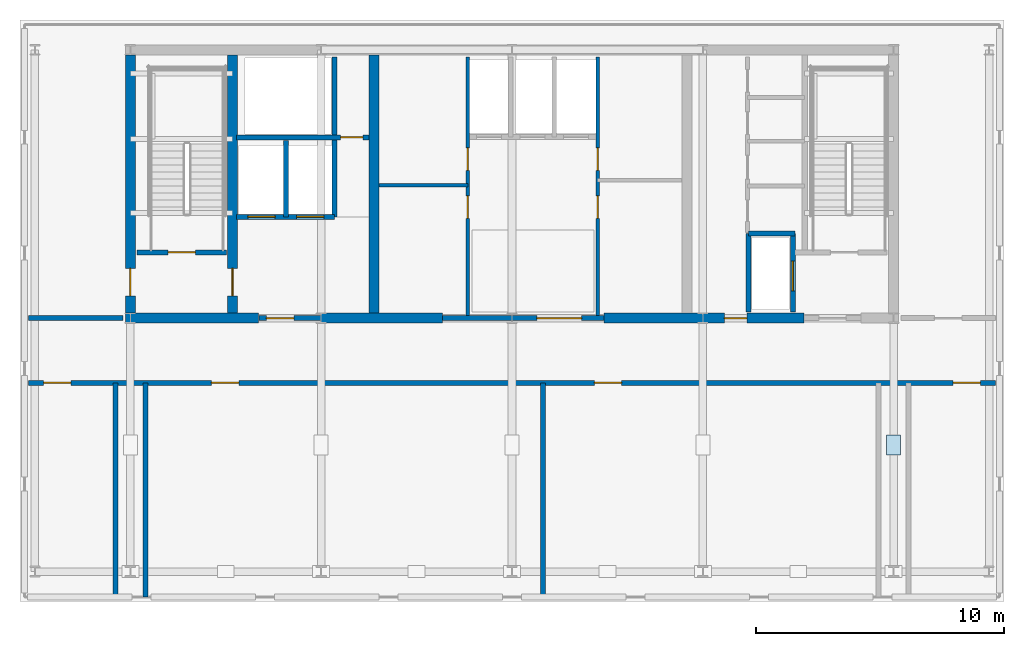
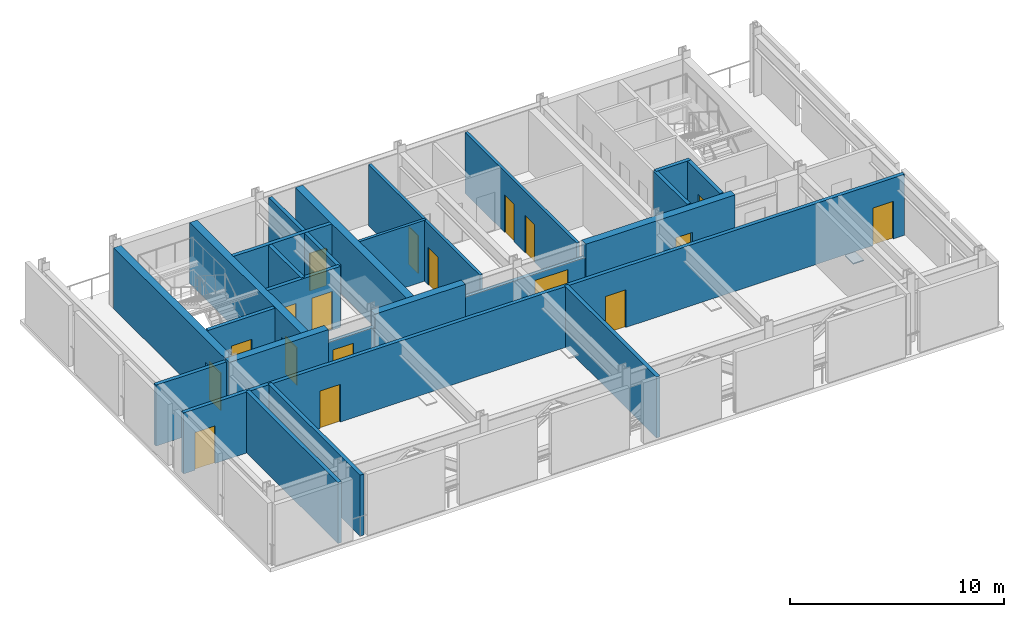
# One storey, part 2 of 8: 24 walls, 18 doors, 1 plate, 18 openings.
"""IFC4 building model written with IfcOpenShell, lengths in metres."""

from ifc_helpers import new_model, si_unit, direction, frame, frame_2d, origin, origin_2d, place, context, subcontext, project, spatial, rectangle, extrude, material, layer, layer_set, type_object, element, fill, save


model = new_model("IFC4")

# Units and contexts
model_context = context("Model", 3, precision=1e-05, world=origin(), true_north=direction((0.0, 1.0)))
body_context = subcontext(model_context, "Body", "Model", "MODEL_VIEW")
ifc_project = project(units=[si_unit("LENGTHUNIT", "METRE"), si_unit("AREAUNIT", "SQUARE_METRE"), si_unit("VOLUMEUNIT", "CUBIC_METRE"), si_unit("PLANEANGLEUNIT", "RADIAN"), si_unit("MASSUNIT", "GRAM", prefix="KILO")], contexts=[model_context])

# Site, building, storey
site_placement = place(None, origin())
site = spatial("IfcSite", under=ifc_project, at=site_placement, CompositionType="ELEMENT")
building_placement = place(site_placement, origin())
building = spatial("IfcBuilding", under=site, at=building_placement, Name="Yelkora Congress Tower", CompositionType="ELEMENT")
storey_placement = place(building_placement, frame((0.0, 0.0, 251.300048828125)))
storey = spatial("IfcBuildingStorey", under=building, at=storey_placement, Name="L70", CompositionType="ELEMENT", Elevation=251.300048828125)

# Plate
ifc_material_1 = material(Name="Steel S460M", Category="steel")
ifc_layer_1 = layer(ifc_material_1, 0.06005859375)
ifc_layer_set_1 = layer_set([ifc_layer_1], Name="Steel S460M")
plate_type = type_object("IfcPlateType", Name="PLT-GUSSET-800x560", PredefinedType="USERDEFINED", material=ifc_layer_set_1)
plate_placement = place(storey_placement, frame((53.760009765625, 30.300048828125, 1.559814453125), z_axis=(0.0, 0.0, 1.0), x_axis=(0.0, 1.0, 0.0)))
element("IfcPlate", 1, at=plate_placement, inside=storey, type_object=plate_type, Name="N4 Outrigger X-Brace Crossing Gusset Plate 5", ObjectType="GUSSET_PLATE", PredefinedType="USERDEFINED", context=body_context, shape_type="SweptSolid", body=[
    extrude(rectangle(XDim=0.800048828125, YDim=0.56005859375, at=origin_2d()), origin(), (0.0, 0.0, 1.0), 0.06005859375),
])

# Walls
ifc_material_2 = material(Name="Concrete C50/60", Category="concrete")
ifc_layer_2 = layer(ifc_material_2, 0.39990234375)
ifc_layer_set_2 = layer_set([ifc_layer_2], Name="Concrete C50/60")
wall_type_1 = type_object("IfcWallType", Name="WALL-CORE-INT-400", PredefinedType="SHEAR", material=ifc_layer_set_2)
wall_1_placement = place(storey_placement, frame((22.840087890625, 35.39990234375, 0.0), z_axis=(0.0, 0.0, 1.0), x_axis=(1.0, 0.0, 0.0)))
element("IfcWall", 2, at=wall_1_placement, inside=storey, type_object=wall_type_1, Name="L70 Rear Core South-West Shear Wall", PredefinedType="SHEAR", context=body_context, shape_type="SweptSolid", body=[
    extrude(rectangle(XDim=5.35986328125, YDim=0.39990234375, at=frame_2d((2.679931640625, 0.0))), origin(), (0.0, 0.0, 1.0), 3.47998046875),
])
wall_2_placement = place(storey_placement, frame((30.719970703125, 35.39990234375, 0.0), z_axis=(0.0, 0.0, 1.0), x_axis=(1.0, 0.0, 0.0)))
element("IfcWall", 3, at=wall_2_placement, inside=storey, type_object=wall_type_1, Name="L70 Rear Core South-Center Shear Pier", PredefinedType="SHEAR", context=body_context, shape_type="SweptSolid", body=[
    extrude(rectangle(XDim=4.880126953125, YDim=0.39990234375, at=frame_2d((2.43994140625, 0.0))), origin(), (0.0, 0.0, 1.0), 3.47998046875),
])

# Wall, opening, door
wall_3_placement = place(storey_placement, frame((42.10009765625, 35.39990234375, 0.0), z_axis=(0.0, 0.0, 1.0), x_axis=(1.0, 0.0, 0.0)))
wall_3 = element("IfcWall", 4, at=wall_3_placement, inside=storey, type_object=wall_type_1, Name="L70 Rear Core South-East Shear Wall A", PredefinedType="SHEAR", context=body_context, shape_type="SweptSolid", body=[
    extrude(rectangle(XDim=8.0498046875, YDim=0.39990234375, at=frame_2d((4.02490234375, 0.0))), origin(), (0.0, 0.0, 1.0), 3.47998046875),
])
opening_1_placement = place(wall_3_placement, frame((4.85009765625, 0.0, 0.0)))
opening_1 = element("IfcOpeningElement", 5, at=opening_1_placement, cuts=wall_3, Name="Opening DR-090F6", PredefinedType="OPENING", context=body_context, shape_type="SweptSolid", body=[
    extrude(rectangle(XDim=0.89990234375, YDim=2.14990234375, at=frame_2d((0.449951171875, 1.074951171875))), frame((0.0, 0.2099609375, 0.0), z_axis=(0.0, -1.0, 0.0), x_axis=(1.0, 0.0, 0.0)), (0.0, 0.0, 1.0), 0.419921875),
])
ifc_material_3 = material(Name="Painted steel riser fire door leaf", Category="steel")
door_type_1 = type_object("IfcDoorType", Name="DOOR-FD60-900", OperationType="NOTDEFINED", PredefinedType="DOOR", material=ifc_material_3)
door_1_placement = place(opening_1_placement, origin())
door_1 = element("IfcDoor", 6, at=door_1_placement, inside=storey, type_object=door_type_1, Name="L70 Core Washroom Lobby Door", OperationType="SINGLE_SWING_RIGHT", OverallHeight=2.14990234375, OverallWidth=0.89990234375, PredefinedType="DOOR", context=body_context, shape_type="SweptSolid", body=[
    extrude(rectangle(XDim=0.89990234375, YDim=2.14990234375, at=frame_2d((0.449951171875, 1.074951171875))), frame((0.0, 0.02490234375, 0.0), z_axis=(0.0, -1.0, 0.0), x_axis=(1.0, 0.0, 0.0)), (0.0, 0.0, 1.0), 0.050048828125),
])
fill(opening_1, door_1)

wall_4_placement = place(storey_placement, frame((23.0400390625, 35.60009765625, 0.0), z_axis=(0.0, 0.0, 1.0), x_axis=(0.0, 1.0, 0.0)))
wall_4 = element("IfcWall", 7, at=wall_4_placement, inside=storey, type_object=wall_type_1, Name="L70 Rear Core Cross Shear Wall W", PredefinedType="SHEAR", context=body_context, shape_type="SweptSolid", body=[
    extrude(rectangle(XDim=10.39990234375, YDim=0.39990234375, at=frame_2d((5.199951171875, 0.0))), origin(), (0.0, 0.0, 1.0), 3.47998046875),
])
opening_2_placement = place(wall_4_placement, frame((0.699951171875, 0.0, 0.0)))
opening_2 = element("IfcOpeningElement", 8, at=opening_2_placement, cuts=wall_4, Name="Opening DR-110F9", PredefinedType="OPENING", context=body_context, shape_type="SweptSolid", body=[
    extrude(rectangle(XDim=1.10009765625, YDim=2.14990234375, at=frame_2d((0.550048828125, 1.074951171875))), frame((0.0, 0.2099609375, 0.0), z_axis=(0.0, -1.0, 0.0), x_axis=(1.0, 0.0, 0.0)), (0.0, 0.0, 1.0), 0.419921875),
])
ifc_material_4 = material(Name="Galvanised steel fire door leaf", Category="steel")
door_type_2 = type_object("IfcDoorType", Name="DOOR-FD90-1100", OperationType="NOTDEFINED", PredefinedType="DOOR", material=ifc_material_4)
door_2_placement = place(opening_2_placement, origin())
door_2 = element("IfcDoor", 9, at=door_2_placement, inside=storey, type_object=door_type_2, Name="L70 Area of Refuge Direct Stair-Lobby Door", OperationType="SINGLE_SWING_LEFT", OverallHeight=2.14990234375, OverallWidth=1.10009765625, PredefinedType="DOOR", context=body_context, shape_type="SweptSolid", body=[
    extrude(rectangle(XDim=1.10009765625, YDim=2.14990234375, at=frame_2d((0.550048828125, 1.074951171875))), frame((0.0, 0.02490234375, 0.0), z_axis=(0.0, -1.0, 0.0), x_axis=(1.0, 0.0, 0.0)), (0.0, 0.0, 1.0), 0.050048828125),
])
fill(opening_2, door_2)

wall_5_placement = place(storey_placement, frame((27.14990234375, 35.60009765625, 0.0), z_axis=(0.0, 0.0, 1.0), x_axis=(0.0, 1.0, 0.0)))
wall_5 = element("IfcWall", 10, at=wall_5_placement, inside=storey, type_object=wall_type_1, Name="L70 Rear Core Cross Shear Wall C1", PredefinedType="SHEAR", context=body_context, shape_type="SweptSolid", body=[
    extrude(rectangle(XDim=10.39990234375, YDim=0.39990234375, at=frame_2d((5.199951171875, 0.0))), origin(), (0.0, 0.0, 1.0), 3.47998046875),
])
opening_3_placement = place(wall_5_placement, frame((0.699951171875, 0.0, 0.0)))
opening_3 = element("IfcOpeningElement", 11, at=opening_3_placement, cuts=wall_5, Name="Opening DR-110F9", PredefinedType="OPENING", context=body_context, shape_type="SweptSolid", body=[
    extrude(rectangle(XDim=1.10009765625, YDim=2.14990234375, at=frame_2d((0.550048828125, 1.074951171875))), frame((0.0, 0.2099609375, 0.0), z_axis=(0.0, -1.0, 0.0), x_axis=(1.0, 0.0, 0.0)), (0.0, 0.0, 1.0), 0.419921875),
])
door_3_placement = place(opening_3_placement, origin())
door_3 = element("IfcDoor", 12, at=door_3_placement, inside=storey, type_object=door_type_2, Name="L70 Firefighting Stair Transfer Door", OperationType="SINGLE_SWING_LEFT", OverallHeight=2.14990234375, OverallWidth=1.10009765625, PredefinedType="DOOR", context=body_context, shape_type="SweptSolid", body=[
    extrude(rectangle(XDim=1.10009765625, YDim=2.14990234375, at=frame_2d((0.550048828125, 1.074951171875))), frame((0.0, 0.02490234375, 0.0), z_axis=(0.0, -1.0, 0.0), x_axis=(1.0, 0.0, 0.0)), (0.0, 0.0, 1.0), 0.050048828125),
])
fill(opening_3, door_3)

# Walls
wall_6_placement = place(storey_placement, frame((32.85009765625, 35.60009765625, 0.0), z_axis=(0.0, 0.0, 1.0), x_axis=(0.0, 1.0, 0.0)))
element("IfcWall", 13, at=wall_6_placement, inside=storey, type_object=wall_type_1, Name="L70 Rear Core Cross Shear Wall C2", PredefinedType="SHEAR", context=body_context, shape_type="SweptSolid", body=[
    extrude(rectangle(XDim=10.39990234375, YDim=0.39990234375, at=frame_2d((5.199951171875, 0.0))), origin(), (0.0, 0.0, 1.0), 3.47998046875),
])
ifc_material_5 = material(Name="Twin-stud fire-rated gypsum partition", Category="gypsum")
ifc_layer_3 = layer(ifc_material_5, 0.14990234375)
ifc_layer_set_3 = layer_set([ifc_layer_3], Name="Twin-stud fire-rated gypsum partition")
wall_type_2 = type_object("IfcWallType", Name="WALL-INT-150-R60", PredefinedType="PARTITIONING", material=ifc_layer_set_3)
wall_7_placement = place(storey_placement, frame((33.050048828125, 40.75, 0.0), z_axis=(0.0, 0.0, 1.0), x_axis=(1.0, 0.0, 0.0)))
element("IfcWall", 14, at=wall_7_placement, inside=storey, type_object=wall_type_2, Name="L70 Partition Wall 11", PredefinedType="PARTITIONING", context=body_context, shape_type="SweptSolid", body=[
    extrude(rectangle(XDim=3.570068359375, YDim=0.14990234375, at=frame_2d((1.78515625, 0.0))), origin(), (0.0, 0.0, 1.0), 3.47998046875),
])

# Wall, openings, doors
wall_8_placement = place(storey_placement, frame((36.6201171875, 35.5, 0.0), z_axis=(0.0, 0.0, 1.0), x_axis=(0.0, 1.0, 0.0)))
wall_8 = element("IfcWall", 15, at=wall_8_placement, inside=storey, type_object=wall_type_2, Name="L70 Partition Wall 12", PredefinedType="PARTITIONING", context=body_context, shape_type="SweptSolid", body=[
    extrude(rectangle(XDim=10.419921875, YDim=0.14990234375, at=frame_2d((5.2099609375, 0.0))), origin(), (0.0, 0.0, 1.0), 3.47998046875),
])
opening_4_placement = place(wall_8_placement, frame((3.919921875, 0.0, 0.0)))
opening_4 = element("IfcOpeningElement", 16, at=opening_4_placement, cuts=wall_8, Name="Opening DR-090F6", PredefinedType="OPENING", context=body_context, shape_type="SweptSolid", body=[
    extrude(rectangle(XDim=0.89990234375, YDim=2.14990234375, at=frame_2d((0.449951171875, 1.074951171875))), frame((0.0, 0.0849609375, 0.0), z_axis=(0.0, -1.0, 0.0), x_axis=(1.0, 0.0, 0.0)), (0.0, 0.0, 1.0), 0.169921875),
])
opening_5_placement = place(wall_8_placement, frame((5.85009765625, 0.0, 0.0)))
opening_5 = element("IfcOpeningElement", 17, at=opening_5_placement, cuts=wall_8, Name="Opening DR-090F6", PredefinedType="OPENING", context=body_context, shape_type="SweptSolid", body=[
    extrude(rectangle(XDim=0.89990234375, YDim=2.14990234375, at=frame_2d((0.449951171875, 1.074951171875))), frame((0.0, 0.0849609375, 0.0), z_axis=(0.0, -1.0, 0.0), x_axis=(1.0, 0.0, 0.0)), (0.0, 0.0, 1.0), 0.169921875),
])
door_4_placement = place(opening_4_placement, origin())
door_4 = element("IfcDoor", 18, at=door_4_placement, inside=storey, type_object=door_type_1, Name="L70 Telecom Store Door", OperationType="SINGLE_SWING_RIGHT", OverallHeight=2.14990234375, OverallWidth=0.89990234375, PredefinedType="DOOR", context=body_context, shape_type="SweptSolid", body=[
    extrude(rectangle(XDim=0.89990234375, YDim=2.14990234375, at=frame_2d((0.449951171875, 1.074951171875))), frame((0.0, 0.02490234375, 0.0), z_axis=(0.0, -1.0, 0.0), x_axis=(1.0, 0.0, 0.0)), (0.0, 0.0, 1.0), 0.050048828125),
])
fill(opening_4, door_4)
door_5_placement = place(opening_5_placement, origin())
door_5 = element("IfcDoor", 19, at=door_5_placement, inside=storey, type_object=door_type_1, Name="L70 Archive Store Door", OperationType="SINGLE_SWING_LEFT", OverallHeight=2.14990234375, OverallWidth=0.89990234375, PredefinedType="DOOR", context=body_context, shape_type="SweptSolid", body=[
    extrude(rectangle(XDim=0.89990234375, YDim=2.14990234375, at=frame_2d((0.449951171875, 1.074951171875))), frame((0.0, 0.02490234375, 0.0), z_axis=(0.0, -1.0, 0.0), x_axis=(1.0, 0.0, 0.0)), (0.0, 0.0, 1.0), 0.050048828125),
])
fill(opening_5, door_5)

wall_9_placement = place(storey_placement, frame((41.85009765625, 35.5, 0.0), z_axis=(0.0, 0.0, 1.0), x_axis=(0.0, 1.0, 0.0)))
wall_9 = element("IfcWall", 20, at=wall_9_placement, inside=storey, type_object=wall_type_2, Name="L70 Partition Wall 14", PredefinedType="PARTITIONING", context=body_context, shape_type="SweptSolid", body=[
    extrude(rectangle(XDim=10.419921875, YDim=0.14990234375, at=frame_2d((5.2099609375, 0.0))), origin(), (0.0, 0.0, 1.0), 3.47998046875),
])
opening_6_placement = place(wall_9_placement, frame((3.919921875, 0.0, 0.0)))
opening_6 = element("IfcOpeningElement", 21, at=opening_6_placement, cuts=wall_9, Name="Opening DR-090F6", PredefinedType="OPENING", context=body_context, shape_type="SweptSolid", body=[
    extrude(rectangle(XDim=0.89990234375, YDim=2.14990234375, at=frame_2d((0.449951171875, 1.074951171875))), frame((0.0, 0.0849609375, 0.0), z_axis=(0.0, -1.0, 0.0), x_axis=(1.0, 0.0, 0.0)), (0.0, 0.0, 1.0), 0.169921875),
])
opening_7_placement = place(wall_9_placement, frame((5.85009765625, 0.0, 0.0)))
opening_7 = element("IfcOpeningElement", 22, at=opening_7_placement, cuts=wall_9, Name="Opening DR-090F6", PredefinedType="OPENING", context=body_context, shape_type="SweptSolid", body=[
    extrude(rectangle(XDim=0.89990234375, YDim=2.14990234375, at=frame_2d((0.449951171875, 1.074951171875))), frame((0.0, 0.0849609375, 0.0), z_axis=(0.0, -1.0, 0.0), x_axis=(1.0, 0.0, 0.0)), (0.0, 0.0, 1.0), 0.169921875),
])
door_6_placement = place(opening_6_placement, origin())
door_6 = element("IfcDoor", 23, at=door_6_placement, inside=storey, type_object=door_type_1, Name="L70 High-Zone BMS Door", OperationType="SINGLE_SWING_RIGHT", OverallHeight=2.14990234375, OverallWidth=0.89990234375, PredefinedType="DOOR", context=body_context, shape_type="SweptSolid", body=[
    extrude(rectangle(XDim=0.89990234375, YDim=2.14990234375, at=frame_2d((0.449951171875, 1.074951171875))), frame((0.0, 0.02490234375, 0.0), z_axis=(0.0, -1.0, 0.0), x_axis=(1.0, 0.0, 0.0)), (0.0, 0.0, 1.0), 0.050048828125),
])
fill(opening_6, door_6)
door_7_placement = place(opening_7_placement, origin())
door_7 = element("IfcDoor", 24, at=door_7_placement, inside=storey, type_object=door_type_1, Name="L70 Linen Store Door", OperationType="SINGLE_SWING_LEFT", OverallHeight=2.14990234375, OverallWidth=0.89990234375, PredefinedType="DOOR", context=body_context, shape_type="SweptSolid", body=[
    extrude(rectangle(XDim=0.89990234375, YDim=2.14990234375, at=frame_2d((0.449951171875, 1.074951171875))), frame((0.0, 0.02490234375, 0.0), z_axis=(0.0, -1.0, 0.0), x_axis=(1.0, 0.0, 0.0)), (0.0, 0.0, 1.0), 0.050048828125),
])
fill(opening_7, door_7)

# Wall, opening, door
ifc_material_6 = material(Name="Autoclaved aerated concrete blockwork", Category="masonry")
ifc_layer_4 = layer(ifc_material_6, 0.199951171875)
ifc_layer_set_4 = layer_set([ifc_layer_4], Name="Autoclaved aerated concrete blockwork")
wall_type_3 = type_object("IfcWallType", Name="WALL-INT-200-R120", PredefinedType="PARTITIONING", material=ifc_layer_set_4)
wall_10_placement = place(storey_placement, frame((23.300048828125, 38.050048828125, 0.0), z_axis=(0.0, 0.0, 1.0), x_axis=(1.0, 0.0, 0.0)))
wall_10 = element("IfcWall", 25, at=wall_10_placement, inside=storey, type_object=wall_type_3, Name="L70 Stair ST-01 Enclosure Wall", PredefinedType="PARTITIONING", context=body_context, shape_type="SweptSolid", body=[
    extrude(rectangle(XDim=3.619873046875, YDim=0.199951171875, at=frame_2d((1.81005859375, 0.0))), origin(), (0.0, 0.0, 1.0), 3.47998046875),
])
opening_8_placement = place(wall_10_placement, frame((1.260009765625, 0.0, 0.0)))
opening_8 = element("IfcOpeningElement", 26, at=opening_8_placement, cuts=wall_10, Name="Opening DR-110F9", PredefinedType="OPENING", context=body_context, shape_type="SweptSolid", body=[
    extrude(rectangle(XDim=1.10009765625, YDim=2.14990234375, at=frame_2d((0.550048828125, 1.074951171875))), frame((0.0, 0.10986328125, 0.0), z_axis=(0.0, -1.0, 0.0), x_axis=(1.0, 0.0, 0.0)), (0.0, 0.0, 1.0), 0.219970703125),
])
door_8_placement = place(opening_8_placement, origin())
door_8 = element("IfcDoor", 27, at=door_8_placement, inside=storey, type_object=door_type_2, Name="L70 Stair ST-01 Entry Door", OperationType="SINGLE_SWING_LEFT", OverallHeight=2.14990234375, OverallWidth=1.10009765625, PredefinedType="DOOR", context=body_context, shape_type="SweptSolid", body=[
    extrude(rectangle(XDim=1.10009765625, YDim=2.14990234375, at=frame_2d((0.550048828125, 1.074951171875))), frame((0.0, 0.02490234375, 0.0), z_axis=(0.0, -1.0, 0.0), x_axis=(1.0, 0.0, 0.0)), (0.0, 0.0, 1.0), 0.050048828125),
])
fill(opening_8, door_8)

wall_11_placement = place(storey_placement, frame((28.219970703125, 35.39990234375, 0.0), z_axis=(0.0, 0.0, 1.0), x_axis=(1.0, 0.0, 0.0)))
wall_11 = element("IfcWall", 28, at=wall_11_placement, inside=storey, type_object=wall_type_3, Name="L70 Firefighting Lobby South Wall", PredefinedType="PARTITIONING", context=body_context, shape_type="SweptSolid", body=[
    extrude(rectangle(XDim=2.5, YDim=0.199951171875, at=frame_2d((1.25, 0.0))), origin(), (0.0, 0.0, 1.0), 2.660888671875),
])
opening_9_placement = place(wall_11_placement, frame((0.300048828125, 0.0, 0.0)))
opening_9 = element("IfcOpeningElement", 29, at=opening_9_placement, cuts=wall_11, Name="Opening DR-110F9", PredefinedType="OPENING", context=body_context, shape_type="SweptSolid", body=[
    extrude(rectangle(XDim=1.10009765625, YDim=2.14990234375, at=frame_2d((0.550048828125, 1.074951171875))), frame((0.0, 0.10986328125, 0.0), z_axis=(0.0, -1.0, 0.0), x_axis=(1.0, 0.0, 0.0)), (0.0, 0.0, 1.0), 0.219970703125),
])
door_9_placement = place(opening_9_placement, origin())
door_9 = element("IfcDoor", 30, at=door_9_placement, inside=storey, type_object=door_type_2, Name="L70 Firefighting Lobby Corridor Door", OperationType="SINGLE_SWING_RIGHT", OverallHeight=2.14990234375, OverallWidth=1.10009765625, PredefinedType="DOOR", context=body_context, shape_type="SweptSolid", body=[
    extrude(rectangle(XDim=1.10009765625, YDim=2.14990234375, at=frame_2d((0.550048828125, 1.074951171875))), frame((0.0, 0.02490234375, 0.0), z_axis=(0.0, -1.0, 0.0), x_axis=(1.0, 0.0, 0.0)), (0.0, 0.0, 1.0), 0.050048828125),
])
fill(opening_9, door_9)

# Wall, openings, doors
wall_12_placement = place(storey_placement, frame((27.320068359375, 39.47998046875, 0.0), z_axis=(0.0, 0.0, 1.0), x_axis=(1.0, 0.0, 0.0)))
wall_12 = element("IfcWall", 31, at=wall_12_placement, inside=storey, type_object=wall_type_3, Name="L70 Firefighting Lift Front Wall", PredefinedType="PARTITIONING", context=body_context, shape_type="SweptSolid", body=[
    extrude(rectangle(XDim=3.93994140625, YDim=0.199951171875, at=frame_2d((1.969970703125, 0.0))), origin(), (0.0, 0.0, 1.0), 3.47998046875),
])
opening_10_placement = place(wall_12_placement, frame((0.449951171875, 0.0, 0.0)))
opening_10 = element("IfcOpeningElement", 32, at=opening_10_placement, cuts=wall_12, Name="Opening LD-FF11", PredefinedType="OPENING", context=body_context, shape_type="SweptSolid", body=[
    extrude(rectangle(XDim=1.10009765625, YDim=2.199951171875, at=frame_2d((0.550048828125, 1.10009765625))), frame((0.0, 0.10986328125, 0.0), z_axis=(0.0, -1.0, 0.0), x_axis=(1.0, 0.0, 0.0)), (0.0, 0.0, 1.0), 0.219970703125),
])
opening_11_placement = place(wall_12_placement, frame((2.409912109375, 0.0, 0.0)))
opening_11 = element("IfcOpeningElement", 33, at=opening_11_placement, cuts=wall_12, Name="Opening LD-FF11", PredefinedType="OPENING", context=body_context, shape_type="SweptSolid", body=[
    extrude(rectangle(XDim=1.10009765625, YDim=2.199951171875, at=frame_2d((0.550048828125, 1.10009765625))), frame((0.0, 0.10986328125, 0.0), z_axis=(0.0, -1.0, 0.0), x_axis=(1.0, 0.0, 0.0)), (0.0, 0.0, 1.0), 0.219970703125),
])
ifc_material_7 = material(Name="Brushed stainless steel 316L landing door", Category="steel")
door_type_3 = type_object("IfcDoorType", Name="DOOR-LIFT-FF-1100", OperationType="DOUBLE_DOOR_SLIDING", PredefinedType="DOOR", material=ifc_material_7)
door_10_placement = place(opening_10_placement, origin())
door_10 = element("IfcDoor", 34, at=door_10_placement, inside=storey, type_object=door_type_3, Name="Lift Landing Door LF-FF1 L70", OperationType="DOUBLE_DOOR_SLIDING", OverallHeight=2.199951171875, OverallWidth=1.10009765625, PredefinedType="DOOR", context=body_context, shape_type="SweptSolid", body=[
    extrude(rectangle(XDim=1.10009765625, YDim=2.199951171875, at=frame_2d((0.550048828125, 1.10009765625))), frame((0.0, 0.02490234375, 0.0), z_axis=(0.0, -1.0, 0.0), x_axis=(1.0, 0.0, 0.0)), (0.0, 0.0, 1.0), 0.050048828125),
])
fill(opening_10, door_10)
door_11_placement = place(opening_11_placement, origin())
door_11 = element("IfcDoor", 35, at=door_11_placement, inside=storey, type_object=door_type_3, Name="Lift Landing Door LF-FF2 L70", OperationType="DOUBLE_DOOR_SLIDING", OverallHeight=2.199951171875, OverallWidth=1.10009765625, PredefinedType="DOOR", context=body_context, shape_type="SweptSolid", body=[
    extrude(rectangle(XDim=1.10009765625, YDim=2.199951171875, at=frame_2d((0.550048828125, 1.10009765625))), frame((0.0, 0.02490234375, 0.0), z_axis=(0.0, -1.0, 0.0), x_axis=(1.0, 0.0, 0.0)), (0.0, 0.0, 1.0), 0.050048828125),
])
fill(opening_11, door_11)

# Walls
wall_13_placement = place(storey_placement, frame((29.300048828125, 39.47998046875, 0.0), z_axis=(0.0, 0.0, 1.0), x_axis=(0.0, 1.0, 0.0)))
element("IfcWall", 36, at=wall_13_placement, inside=storey, type_object=wall_type_3, Name="L70 Partition Wall 4", PredefinedType="PARTITIONING", context=body_context, shape_type="SweptSolid", body=[
    extrude(rectangle(XDim=3.070068359375, YDim=0.199951171875, at=frame_2d((1.53515625, 0.0))), origin(), (0.0, 0.0, 1.0), 3.47998046875),
])
wall_14_placement = place(storey_placement, frame((31.260009765625, 39.47998046875, 0.0), z_axis=(0.0, 0.0, 1.0), x_axis=(0.0, 1.0, 0.0)))
element("IfcWall", 37, at=wall_14_placement, inside=storey, type_object=wall_type_3, Name="L70 Partition Wall 5", PredefinedType="PARTITIONING", context=body_context, shape_type="SweptSolid", body=[
    extrude(rectangle(XDim=6.43994140625, YDim=0.199951171875, at=frame_2d((3.219970703125, 0.0))), origin(), (0.0, 0.0, 1.0), 3.47998046875),
])

# Wall, opening, door
wall_15_placement = place(storey_placement, frame((27.320068359375, 42.679931640625, 0.0), z_axis=(0.0, 0.0, 1.0), x_axis=(1.0, 0.0, 0.0)))
wall_15 = element("IfcWall", 38, at=wall_15_placement, inside=storey, type_object=wall_type_3, Name="L70 Smoke Riser South Wall", PredefinedType="PARTITIONING", context=body_context, shape_type="SweptSolid", body=[
    extrude(rectangle(XDim=5.329833984375, YDim=0.199951171875, at=frame_2d((2.6650390625, 0.0))), origin(), (0.0, 0.0, 1.0), 3.47998046875),
])
opening_12_placement = place(wall_15_placement, frame((4.179931640625, 0.0, 0.0)))
opening_12 = element("IfcOpeningElement", 39, at=opening_12_placement, cuts=wall_15, Name="Opening DR-090F6", PredefinedType="OPENING", context=body_context, shape_type="SweptSolid", body=[
    extrude(rectangle(XDim=0.89990234375, YDim=2.14990234375, at=frame_2d((0.449951171875, 1.074951171875))), frame((0.0, 0.10986328125, 0.0), z_axis=(0.0, -1.0, 0.0), x_axis=(1.0, 0.0, 0.0)), (0.0, 0.0, 1.0), 0.219970703125),
])
door_12_placement = place(opening_12_placement, origin())
door_12 = element("IfcDoor", 40, at=door_12_placement, inside=storey, type_object=door_type_1, Name="L70 Riser Access Door", OperationType="SINGLE_SWING_LEFT", OverallHeight=2.14990234375, OverallWidth=0.89990234375, PredefinedType="DOOR", context=body_context, shape_type="SweptSolid", body=[
    extrude(rectangle(XDim=0.89990234375, YDim=2.14990234375, at=frame_2d((0.449951171875, 1.074951171875))), frame((0.0, 0.02490234375, 0.0), z_axis=(0.0, -1.0, 0.0), x_axis=(1.0, 0.0, 0.0)), (0.0, 0.0, 1.0), 0.050048828125),
])
fill(opening_12, door_12)

wall_16_placement = place(storey_placement, frame((35.60009765625, 35.39990234375, 0.0), z_axis=(0.0, 0.0, 1.0), x_axis=(1.0, 0.0, 0.0)))
wall_16 = element("IfcWall", 41, at=wall_16_placement, inside=storey, type_object=wall_type_3, Name="L70 Main Lift Lobby South Portal Wall", PredefinedType="PARTITIONING", context=body_context, shape_type="SweptSolid", body=[
    extrude(rectangle(XDim=6.5, YDim=0.199951171875, at=frame_2d((3.25, 0.0))), origin(), (0.0, 0.0, 1.0), 2.660888671875),
])
opening_13_placement = place(wall_16_placement, frame((3.800048828125, 0.0, 0.0)))
opening_13 = element("IfcOpeningElement", 42, at=opening_13_placement, cuts=wall_16, Name="Opening DR-180D", PredefinedType="OPENING", context=body_context, shape_type="SweptSolid", body=[
    extrude(rectangle(XDim=1.800048828125, YDim=2.300048828125, at=frame_2d((0.89990234375, 1.14990234375))), frame((0.0, 0.10986328125, 0.0), z_axis=(0.0, -1.0, 0.0), x_axis=(1.0, 0.0, 0.0)), (0.0, 0.0, 1.0), 0.219970703125),
])
ifc_material_8 = material(Name="Acoustic double congress hall doors", Category="wood")
door_type_4 = type_object("IfcDoorType", Name="DOOR-DBL-1800", OperationType="DOUBLE_DOOR_SINGLE_SWING", PredefinedType="DOOR", material=ifc_material_8)
door_13_placement = place(opening_13_placement, origin())
door_13 = element("IfcDoor", 43, at=door_13_placement, inside=storey, type_object=door_type_4, Name="L70 Main Lift Lobby Portal Door", OperationType="DOUBLE_DOOR_SINGLE_SWING", OverallHeight=2.300048828125, OverallWidth=1.800048828125, PredefinedType="DOOR", context=body_context, shape_type="SweptSolid", body=[
    extrude(rectangle(XDim=1.800048828125, YDim=2.300048828125, at=frame_2d((0.89990234375, 1.14990234375))), frame((0.0, 0.02490234375, 0.0), z_axis=(0.0, -1.0, 0.0), x_axis=(1.0, 0.0, 0.0)), (0.0, 0.0, 1.0), 0.050048828125),
])
fill(opening_13, door_13)

wall_17_placement = place(storey_placement, frame((49.699951171875, 35.64990234375, 0.0), z_axis=(0.0, 0.0, 1.0), x_axis=(0.0, 1.0, 0.0)))
wall_17 = element("IfcWall", 44, at=wall_17_placement, inside=storey, type_object=wall_type_3, Name="L70 Partition Wall 17", PredefinedType="PARTITIONING", context=body_context, shape_type="SweptSolid", body=[
    extrude(rectangle(XDim=3.150146484375, YDim=0.199951171875, at=frame_2d((1.5751953125, 0.0))), origin(), (0.0, 0.0, 1.0), 3.47998046875),
])
opening_14_placement = place(wall_17_placement, frame((0.85009765625, 0.0, 0.0)))
opening_14 = element("IfcOpeningElement", 45, at=opening_14_placement, cuts=wall_17, Name="Opening LD-SV12", PredefinedType="OPENING", context=body_context, shape_type="SweptSolid", body=[
    extrude(rectangle(XDim=1.199951171875, YDim=2.199951171875, at=frame_2d((0.60009765625, 1.10009765625))), frame((0.0, 0.10986328125, 0.0), z_axis=(0.0, -1.0, 0.0), x_axis=(1.0, 0.0, 0.0)), (0.0, 0.0, 1.0), 0.219970703125),
])
ifc_material_9 = material(Name="Heavy-duty stainless steel landing door", Category="steel")
door_type_5 = type_object("IfcDoorType", Name="DOOR-LIFT-SRV-1200", OperationType="DOUBLE_DOOR_SLIDING", PredefinedType="DOOR", material=ifc_material_9)
door_14_placement = place(opening_14_placement, origin())
door_14 = element("IfcDoor", 46, at=door_14_placement, inside=storey, type_object=door_type_5, Name="Service Lift Landing Door LF-SV1 L70", OperationType="DOUBLE_DOOR_SLIDING", OverallHeight=2.199951171875, OverallWidth=1.199951171875, PredefinedType="DOOR", context=body_context, shape_type="SweptSolid", body=[
    extrude(rectangle(XDim=1.199951171875, YDim=2.199951171875, at=frame_2d((0.60009765625, 1.10009765625))), frame((0.0, 0.02490234375, 0.0), z_axis=(0.0, -1.0, 0.0), x_axis=(1.0, 0.0, 0.0)), (0.0, 0.0, 1.0), 0.050048828125),
])
fill(opening_14, door_14)

# Walls
wall_18_placement = place(storey_placement, frame((47.919921875, 35.64990234375, 0.0), z_axis=(0.0, 0.0, 1.0), x_axis=(0.0, 1.0, 0.0)))
element("IfcWall", 47, at=wall_18_placement, inside=storey, type_object=wall_type_3, Name="L70 Partition Wall 18", PredefinedType="PARTITIONING", context=body_context, shape_type="SweptSolid", body=[
    extrude(rectangle(XDim=3.150146484375, YDim=0.199951171875, at=frame_2d((1.5751953125, 0.0))), origin(), (0.0, 0.0, 1.0), 3.47998046875),
])
wall_19_placement = place(storey_placement, frame((47.919921875, 38.800048828125, 0.0), z_axis=(0.0, 0.0, 1.0), x_axis=(1.0, 0.0, 0.0)))
element("IfcWall", 48, at=wall_19_placement, inside=storey, type_object=wall_type_3, Name="L70 Partition Wall 19", PredefinedType="PARTITIONING", context=body_context, shape_type="SweptSolid", body=[
    extrude(rectangle(XDim=1.860107421875, YDim=0.199951171875, at=frame_2d((0.93017578125, 0.0))), origin(), (0.0, 0.0, 1.0), 3.47998046875),
])
wall_20_placement = place(storey_placement, frame((18.949951171875, 35.39990234375, 0.0), z_axis=(0.0, 0.0, 1.0), x_axis=(1.0, 0.0, 0.0)))
element("IfcWall", 49, at=wall_20_placement, inside=storey, type_object=wall_type_3, Name="L70 Partition Wall 24", PredefinedType="PARTITIONING", context=body_context, shape_type="SweptSolid", body=[
    extrude(rectangle(XDim=3.800048828125, YDim=0.199951171875, at=frame_2d((1.89990234375, 0.0))), origin(), (0.0, 0.0, 1.0), 3.47998046875),
])
for number, where, z_axis, x_axis, name in (
    (50, (22.449951171875, 24.179931640625, 0.0), (0.0, 0.0, 1.0), (0.0, 1.0, 0.0), "L70 Partition Wall 26"),
    (51, (23.64990234375, 24.179931640625, 0.0), (0.0, 0.0, 1.0), (0.0, 1.0, 0.0), "L70 Partition Wall 27"),
    (52, (39.64990234375, 24.179931640625, 0.0), (0.0, 0.0, 1.0), (0.0, 1.0, 0.0), "L70 Partition Wall 28"),
):
    element("IfcWall", number, at=place(storey_placement, frame(where, z_axis=z_axis, x_axis=x_axis)), inside=storey, type_object=wall_type_3, Name=name, PredefinedType="PARTITIONING", context=body_context, shape_type="SweptSolid", body=[
        extrude(rectangle(XDim=8.6201171875, YDim=0.199951171875, at=frame_2d((4.31005859375, 0.0))), origin(), (0.0, 0.0, 1.0), 3.47998046875),
    ])

# Wall, openings, doors
wall_21_placement = place(storey_placement, frame((18.949951171875, 32.800048828125, 0.0), z_axis=(0.0, 0.0, 1.0), x_axis=(1.0, 0.0, 0.0)))
wall_21 = element("IfcWall", 53, at=wall_21_placement, inside=storey, type_object=wall_type_3, Name="L70 Partition Wall 31", PredefinedType="PARTITIONING", context=body_context, shape_type="SweptSolid", body=[
    extrude(rectangle(XDim=38.900146484375, YDim=0.199951171875, at=frame_2d((19.4501953125, 0.0))), origin(), (0.0, 0.0, 1.0), 3.47998046875),
])
opening_15_placement = place(wall_21_placement, frame((0.60009765625, 0.0, 0.0)))
opening_15 = element("IfcOpeningElement", 54, at=opening_15_placement, cuts=wall_21, Name="Opening DR-110F9", PredefinedType="OPENING", context=body_context, shape_type="SweptSolid", body=[
    extrude(rectangle(XDim=1.10009765625, YDim=2.14990234375, at=frame_2d((0.550048828125, 1.074951171875))), frame((0.0, 0.10986328125, 0.0), z_axis=(0.0, -1.0, 0.0), x_axis=(1.0, 0.0, 0.0)), (0.0, 0.0, 1.0), 0.219970703125),
])
opening_16_placement = place(wall_21_placement, frame((7.35498046875, 0.0, 0.0)))
opening_16 = element("IfcOpeningElement", 55, at=opening_16_placement, cuts=wall_21, Name="Opening DR-110F9", PredefinedType="OPENING", context=body_context, shape_type="SweptSolid", body=[
    extrude(rectangle(XDim=1.10009765625, YDim=2.14990234375, at=frame_2d((0.550048828125, 1.074951171875))), frame((0.0, 0.10986328125, 0.0), z_axis=(0.0, -1.0, 0.0), x_axis=(1.0, 0.0, 0.0)), (0.0, 0.0, 1.0), 0.219970703125),
])
opening_17_placement = place(wall_21_placement, frame((22.760986328125, 0.0, 0.0)))
opening_17 = element("IfcOpeningElement", 56, at=opening_17_placement, cuts=wall_21, Name="Opening DR-110F9", PredefinedType="OPENING", context=body_context, shape_type="SweptSolid", body=[
    extrude(rectangle(XDim=1.10009765625, YDim=2.14990234375, at=frame_2d((0.550048828125, 1.074951171875))), frame((0.0, 0.10986328125, 0.0), z_axis=(0.0, -1.0, 0.0), x_axis=(1.0, 0.0, 0.0)), (0.0, 0.0, 1.0), 0.219970703125),
])
opening_18_placement = place(wall_21_placement, frame((37.199951171875, 0.0, 0.0)))
opening_18 = element("IfcOpeningElement", 57, at=opening_18_placement, cuts=wall_21, Name="Opening DR-110F9", PredefinedType="OPENING", context=body_context, shape_type="SweptSolid", body=[
    extrude(rectangle(XDim=1.10009765625, YDim=2.14990234375, at=frame_2d((0.550048828125, 1.074951171875))), frame((0.0, 0.10986328125, 0.0), z_axis=(0.0, -1.0, 0.0), x_axis=(1.0, 0.0, 0.0)), (0.0, 0.0, 1.0), 0.219970703125),
])
door_15_placement = place(opening_15_placement, origin())
door_15 = element("IfcDoor", 58, at=door_15_placement, inside=storey, type_object=door_type_2, Name="L70 Interior Door 22", OperationType="SINGLE_SWING_RIGHT", OverallHeight=2.14990234375, OverallWidth=1.10009765625, PredefinedType="DOOR", context=body_context, shape_type="SweptSolid", body=[
    extrude(rectangle(XDim=1.10009765625, YDim=2.14990234375, at=frame_2d((0.550048828125, 1.074951171875))), frame((0.0, 0.02490234375, 0.0), z_axis=(0.0, -1.0, 0.0), x_axis=(1.0, 0.0, 0.0)), (0.0, 0.0, 1.0), 0.050048828125),
])
fill(opening_15, door_15)
door_16_placement = place(opening_16_placement, origin())
door_16 = element("IfcDoor", 59, at=door_16_placement, inside=storey, type_object=door_type_2, Name="L70 Interior Door 23", OperationType="SINGLE_SWING_LEFT", OverallHeight=2.14990234375, OverallWidth=1.10009765625, PredefinedType="DOOR", context=body_context, shape_type="SweptSolid", body=[
    extrude(rectangle(XDim=1.10009765625, YDim=2.14990234375, at=frame_2d((0.550048828125, 1.074951171875))), frame((0.0, 0.02490234375, 0.0), z_axis=(0.0, -1.0, 0.0), x_axis=(1.0, 0.0, 0.0)), (0.0, 0.0, 1.0), 0.050048828125),
])
fill(opening_16, door_16)
door_17_placement = place(opening_17_placement, origin())
door_17 = element("IfcDoor", 60, at=door_17_placement, inside=storey, type_object=door_type_2, Name="L70 Interior Door 24", OperationType="SINGLE_SWING_RIGHT", OverallHeight=2.14990234375, OverallWidth=1.10009765625, PredefinedType="DOOR", context=body_context, shape_type="SweptSolid", body=[
    extrude(rectangle(XDim=1.10009765625, YDim=2.14990234375, at=frame_2d((0.550048828125, 1.074951171875))), frame((0.0, 0.02490234375, 0.0), z_axis=(0.0, -1.0, 0.0), x_axis=(1.0, 0.0, 0.0)), (0.0, 0.0, 1.0), 0.050048828125),
])
fill(opening_17, door_17)
door_18_placement = place(opening_18_placement, origin())
door_18 = element("IfcDoor", 61, at=door_18_placement, inside=storey, type_object=door_type_2, Name="L70 Interior Door 25", OperationType="SINGLE_SWING_LEFT", OverallHeight=2.14990234375, OverallWidth=1.10009765625, PredefinedType="DOOR", context=body_context, shape_type="SweptSolid", body=[
    extrude(rectangle(XDim=1.10009765625, YDim=2.14990234375, at=frame_2d((0.550048828125, 1.074951171875))), frame((0.0, 0.02490234375, 0.0), z_axis=(0.0, -1.0, 0.0), x_axis=(1.0, 0.0, 0.0)), (0.0, 0.0, 1.0), 0.050048828125),
])
fill(opening_18, door_18)

save(model, "model.ifc")
